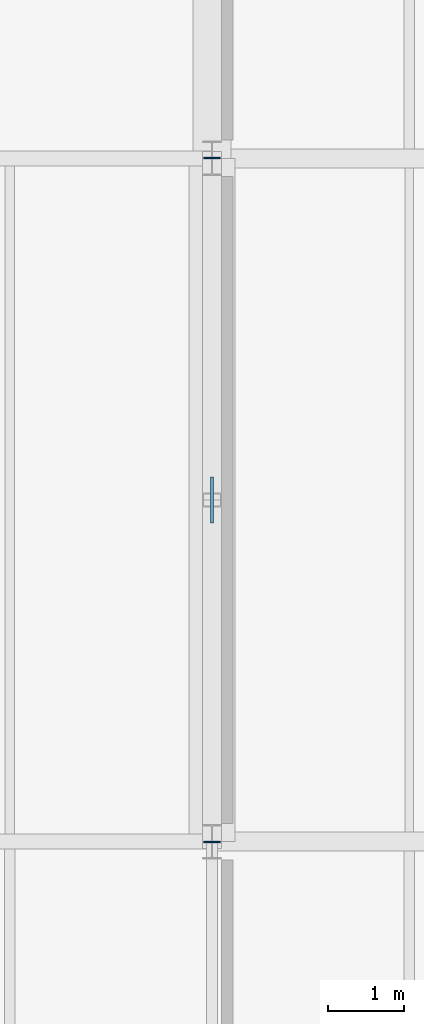
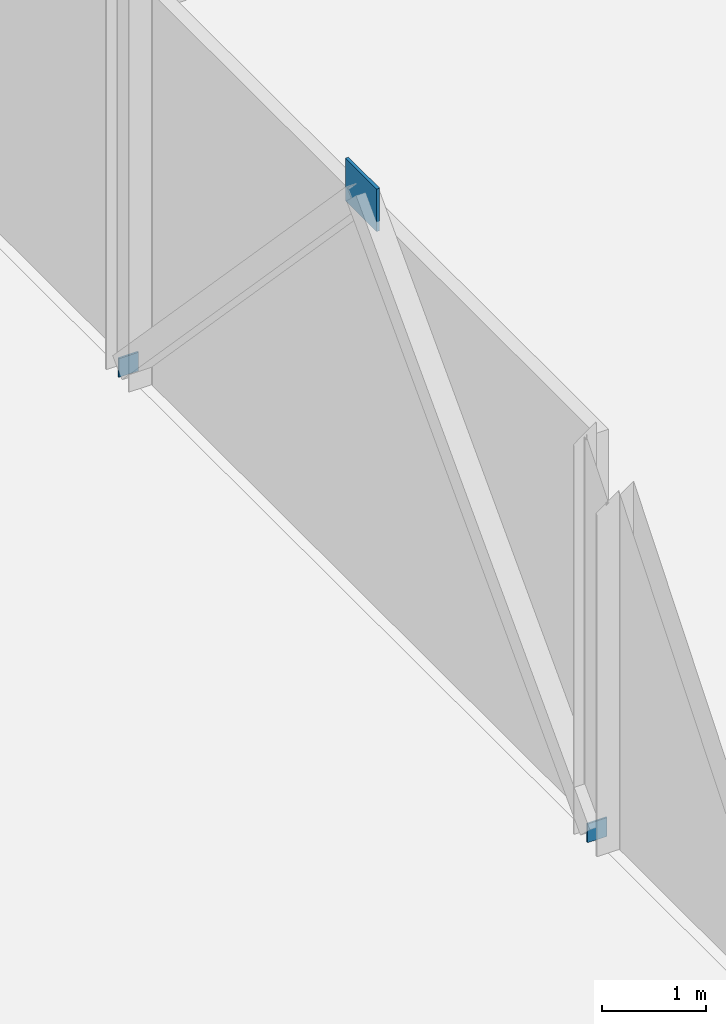
# One storey, part 33 of 57: 3 plates.
"""IFC4 building model written with IfcOpenShell, lengths in metres."""

import ifcopenshell
import ifcopenshell.guid

model = None  # the IFC model being written
_history = None  # IfcOwnerHistory: only IFC2X3 demands one
_inside = {}  # id of a spatial element -> (the spatial element, [elements in it])
_under = {}  # id of a project, library or spatial element -> (it, [spatial elements below it])
_declared = {}  # id of a project -> (the project, [libraries it declares])
_typed = {}  # id of a type object -> (the type object, [elements of that type])
_made_of = {}  # id of a material, layer set ... -> (it, [elements and type objects made of it])


def new_model(schema):
    """Start an empty IFC model of exactly this schema.

    Asked for "IFC4X3", IfcOpenShell would pick the latest addendum, in which some entities
    have other attributes; the version numbers below select the first issue.
    IFC2X3 requires an IfcOwnerHistory on every rooted entity: one is made here for all.
    """
    global model, _history
    if schema == "IFC4X3":
        model = ifcopenshell.file(schema_version=(4, 3, 0, 0))
    else:
        model = ifcopenshell.file(schema=schema)
    _inside.clear()
    _under.clear()
    _declared.clear()
    _typed.clear()
    _made_of.clear()
    _history = None
    if model.schema == "IFC2X3":
        org = make("IfcOrganization", Name="unknown")
        user = make(
            "IfcPersonAndOrganization",
            ThePerson=make("IfcPerson", FamilyName="unknown"),
            TheOrganization=org,
        )
        app = make(
            "IfcApplication",
            ApplicationDeveloper=org,
            Version="unknown",
            ApplicationFullName="unknown",
            ApplicationIdentifier="unknown",
        )
        _history = make(
            "IfcOwnerHistory",
            OwningUser=user,
            OwningApplication=app,
            ChangeAction="ADDED",
            CreationDate=0,
        )
    return model


def make(cls, **values):
    """One entity of the class cls with the attributes given. An attribute that is None is left unset."""
    return model.create_entity(
        cls, **{name: value for name, value in values.items() if value is not None}
    )


def rooted(cls, **values):
    """An entity with a GlobalId (a new one), such as an element, a storey or a relation."""
    return make(cls, GlobalId=ifcopenshell.guid.new(), OwnerHistory=_history, **values)


def si_unit(unit_type, name, prefix=None):
    """IfcSIUnit, for example si_unit("LENGTHUNIT", "METRE", prefix="MILLI")."""
    return make("IfcSIUnit", UnitType=unit_type, Prefix=prefix, Name=name)


def derived_unit(unit_type, elements):
    """IfcDerivedUnit: a product of units, each with its exponent."""
    return make(
        "IfcDerivedUnit",
        Elements=[
            make("IfcDerivedUnitElement", Unit=unit, Exponent=power)
            for unit, power in elements
        ],
        UnitType=unit_type,
    )


def assignment(units):
    """IfcUnitAssignment: the units of a project."""
    return None if units is None else make("IfcUnitAssignment", Units=units)


def point(xyz):
    """IfcCartesianPoint."""
    return None if xyz is None else make("IfcCartesianPoint", Coordinates=xyz)


def direction(xyz):
    """IfcDirection."""
    return None if xyz is None else make("IfcDirection", DirectionRatios=xyz)


def frame(location, z_axis=None, x_axis=None):
    """IfcAxis2Placement3D, a coordinate frame: its origin and axes. An axis left out is left unset."""
    return make(
        "IfcAxis2Placement3D",
        Location=point(location),
        Axis=direction(z_axis),
        RefDirection=direction(x_axis),
    )


def frame_2d(location, x_axis=None):
    """IfcAxis2Placement2D, a coordinate frame in the plane: its origin and x axis."""
    return make(
        "IfcAxis2Placement2D", Location=point(location), RefDirection=direction(x_axis)
    )


def origin():
    """The frame at (0, 0, 0) with its axes left unset."""
    return frame((0.0, 0.0, 0.0))


def origin_2d():
    """The frame at (0, 0) in the plane with its x axis left unset."""
    return frame_2d((0.0, 0.0))


def place(relative_to, where):
    """IfcLocalPlacement: puts the frame where relative to a parent placement (None: the world)."""
    return make(
        "IfcLocalPlacement", PlacementRelTo=relative_to, RelativePlacement=where
    )


def context(
    kind, dimensions, precision=None, world=None, true_north=None, identifier=None
):
    """IfcGeometricRepresentationContext, for example the 3D "Model" context."""
    return make(
        "IfcGeometricRepresentationContext",
        ContextIdentifier=identifier,
        ContextType=kind,
        CoordinateSpaceDimension=dimensions,
        Precision=precision,
        WorldCoordinateSystem=world,
        TrueNorth=true_north,
    )


def subcontext(parent, identifier, kind, view, scale=None):
    """IfcGeometricRepresentationSubContext, for example "Body" below "Model"."""
    return make(
        "IfcGeometricRepresentationSubContext",
        ContextIdentifier=identifier,
        ContextType=kind,
        ParentContext=parent,
        TargetScale=scale,
        TargetView=view,
    )


def project(units=None, contexts=None):
    """IfcProject with its units and contexts."""
    return rooted(
        "IfcProject",
        Name="project",
        RepresentationContexts=contexts,
        UnitsInContext=assignment(units),
    )


def spatial(cls, under=None, at=None, **own):
    """A site, building, storey or space (cls), placed at a placement, below another one or the project."""
    s = rooted(cls, ObjectPlacement=at, **own)
    if under is not None:
        _under.setdefault(under.id(), (under, []))[1].append(s)
    return s


def profile(cls, at=None, kind="AREA", **sizes):
    """A parametric profile (cls). Its sizes go by their IFC names, for example OverallWidth=200.0."""
    return make(cls, ProfileType=kind, Position=at, **sizes)


def rectangle(**sizes):
    """IfcRectangleProfileDef."""
    return profile("IfcRectangleProfileDef", **sizes)


def extrude(swept, where, along, depth):
    """IfcExtrudedAreaSolid: the profile swept, set in the frame where, extruded along a direction by depth."""
    return make(
        "IfcExtrudedAreaSolid",
        SweptArea=swept,
        Position=where,
        ExtrudedDirection=direction(along),
        Depth=depth,
    )


def shape(context_of_items, identifier, shape_type, items):
    """IfcShapeRepresentation: the items that make up one representation, for example the "Body"."""
    return make(
        "IfcShapeRepresentation",
        ContextOfItems=context_of_items,
        RepresentationIdentifier=identifier,
        RepresentationType=shape_type,
        Items=items,
    )


def material(Name=None, Category=None):
    """IfcMaterial."""
    return make("IfcMaterial", Name=Name, Category=Category)


def layer(
    of_material, thickness, ventilated=None, Name=None, Category=None, Priority=None
):
    """IfcMaterialLayer: one layer of a wall or slab, of a material (None: an air gap)."""
    return make(
        "IfcMaterialLayer",
        Material=of_material,
        LayerThickness=thickness,
        IsVentilated=ventilated,
        Name=Name,
        Category=Category,
        Priority=Priority,
    )


def layer_set(layers, Name=None):
    """IfcMaterialLayerSet."""
    return make("IfcMaterialLayerSet", MaterialLayers=layers, LayerSetName=Name)


def made_of(thing, what):
    """Note that an element or type object is made of a material, layer set ...; save() writes the relation."""
    if what is not None:
        _made_of.setdefault(what.id(), (what, []))[1].append(thing)
    return thing


def type_object(cls, material=None, **own):
    """A type object (cls), such as IfcWallType, which elements share."""
    return made_of(rooted(cls, **own), material)


def element(
    cls,
    number,
    at=None,
    inside=None,
    cuts=None,
    type_object=None,
    material=None,
    context=None,
    identifier="Body",
    shape_type=None,
    held_by="IfcProductDefinitionShape",
    body=None,
    shapes=None,
    **own,
):
    """One element of the class cls, such as IfcWall. Its Tag is "e" and its number.

    at: its placement. inside: the storey or other place that contains it. cuts: it is an
    opening in that element (IfcRelVoidsElement). A single representation is given by context,
    identifier, shape_type and body (its items); several are given by shapes. held_by: the class
    of the entity that holds the representations. save() writes the other relations.
    """
    e = rooted(cls, Tag="e%d" % number, ObjectPlacement=at, **own)
    if body is not None:
        shapes = [shape(context, identifier, shape_type, body)]
    if shapes is not None:
        e.Representation = make(held_by, Representations=shapes)
    if inside is not None:
        _inside.setdefault(inside.id(), (inside, []))[1].append(e)
    if cuts is not None:
        rooted(
            "IfcRelVoidsElement", RelatingBuildingElement=cuts, RelatedOpeningElement=e
        )
    if type_object is not None:
        _typed.setdefault(type_object.id(), (type_object, []))[1].append(e)
    return made_of(e, material)


def aggregate(whole, parts):
    """IfcRelAggregates: a whole, such as a stair, and the parts it consists of."""
    return rooted("IfcRelAggregates", RelatingObject=whole, RelatedObjects=parts)


def save(model, path):
    """Write the relations noted so far, then the file.

    IfcRelAggregates (storeys below a building ...), IfcRelContainedInSpatialStructure (elements
    in a storey), IfcRelDefinesByType, IfcRelAssociatesMaterial and IfcRelDeclares: one each for
    every whole, place, type object, material and project.
    """
    for whole, parts in _under.values():
        aggregate(whole, parts)
    for where, things in _inside.values():
        rooted(
            "IfcRelContainedInSpatialStructure",
            RelatedElements=things,
            RelatingStructure=where,
        )
    for kind, things in _typed.values():
        rooted("IfcRelDefinesByType", RelatedObjects=things, RelatingType=kind)
    for what, things in _made_of.values():
        rooted("IfcRelAssociatesMaterial", RelatedObjects=things, RelatingMaterial=what)
    for by, libraries in _declared.values():
        rooted("IfcRelDeclares", RelatingContext=by, RelatedDefinitions=libraries)
    model.write(path)


model = new_model("IFC4")

# Units and contexts
model_context = context("Model", 3, precision=1e-05, world=origin(), true_north=direction((0.0, 1.0)))
body_context = subcontext(model_context, "Body", "Model", "MODEL_VIEW")
ifc_project = project(units=[si_unit("LENGTHUNIT", "METRE"), si_unit("AREAUNIT", "SQUARE_METRE"), si_unit("VOLUMEUNIT", "CUBIC_METRE"), si_unit("PLANEANGLEUNIT", "RADIAN"), si_unit("MASSUNIT", "GRAM", prefix="KILO"), derived_unit("THERMALTRANSMITTANCEUNIT", [(si_unit("POWERUNIT", "WATT"), 1), (si_unit("LENGTHUNIT", "METRE"), -2), (si_unit("THERMODYNAMICTEMPERATUREUNIT", "KELVIN"), -1)])], contexts=[model_context])

# Site, building, storey
site_placement = place(None, origin())
site = spatial("IfcSite", under=ifc_project, at=site_placement, CompositionType="ELEMENT")
building_placement = place(site_placement, origin())
building = spatial("IfcBuilding", under=site, at=building_placement, Name="Nallur Shell Playhouse", CompositionType="ELEMENT")
storey_placement = place(building_placement, origin())
storey = spatial("IfcBuildingStorey", under=building, at=storey_placement, Name="L01", CompositionType="ELEMENT", Elevation=0.0)

# Plates
ifc_material = material(Name="Steel E350", Category="steel")
ifc_layer_1 = layer(ifc_material, 0.02001953125)
ifc_layer_set_1 = layer_set([ifc_layer_1], Name="Steel E350")
plate_type_1 = type_object("IfcPlateType", Name="PT-ENDCAP-20", PredefinedType="SHEET", material=ifc_layer_set_1)
for number, where, z_axis, x_axis, name in (
    (1, (64.0, 55.9931640625, 0.03271484375), (0.0, 0.0, 1.0), (1.0, 0.0, 0.0), "Hollow end cap EC-BR-FT-L01-001-0"),
    (2, (64.0, 65.0068359375, 0.03271484375), (0.0, 0.0, 1.0), (1.0, 0.0, 0.0), "Hollow end cap EC-BR-FT-L01-002-0"),
):
    element("IfcPlate", number, at=place(storey_placement, frame(where, z_axis=z_axis, x_axis=x_axis)), inside=storey, type_object=plate_type_1, Name=name, PredefinedType="SHEET", context=body_context, shape_type="SweptSolid", body=[
        extrude(rectangle(XDim=0.219970703125, YDim=0.02001953125, at=origin_2d()), origin(), (0.0, 0.0, 1.0), 0.219970703125),
    ])
ifc_layer_2 = layer(ifc_material, 0.034912109375)
ifc_layer_set_2 = layer_set([ifc_layer_2], Name="Steel E350")
plate_type_2 = type_object("IfcPlateType", Name="PT-GUSSET-35", PredefinedType="USERDEFINED", material=ifc_layer_set_2)
plate_placement = place(storey_placement, frame((64.0, 60.5, 4.6201171875), z_axis=(0.0, 0.0, 1.0), x_axis=(1.0, 0.0, 0.0)))
element("IfcPlate", 3, at=plate_placement, inside=storey, type_object=plate_type_2, Name="Fly tower chevron node gusset plate TN-02 (L01)", ObjectType="GUSSET PLATE", PredefinedType="USERDEFINED", context=body_context, shape_type="SweptSolid", body=[
    extrude(rectangle(XDim=0.034912109375, YDim=0.60009765625, at=origin_2d()), origin(), (0.0, 0.0, 1.0), 0.5),
])

save(model, "model.ifc")
